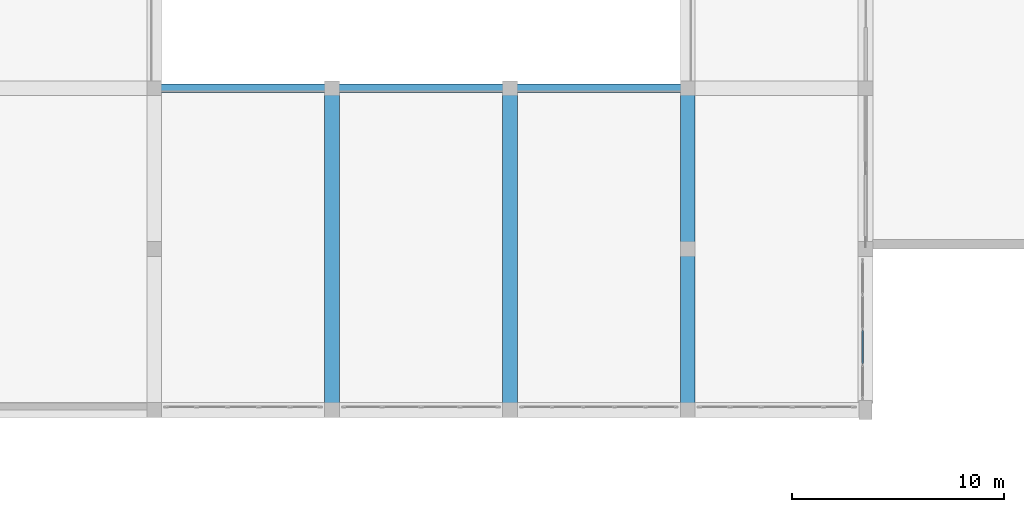
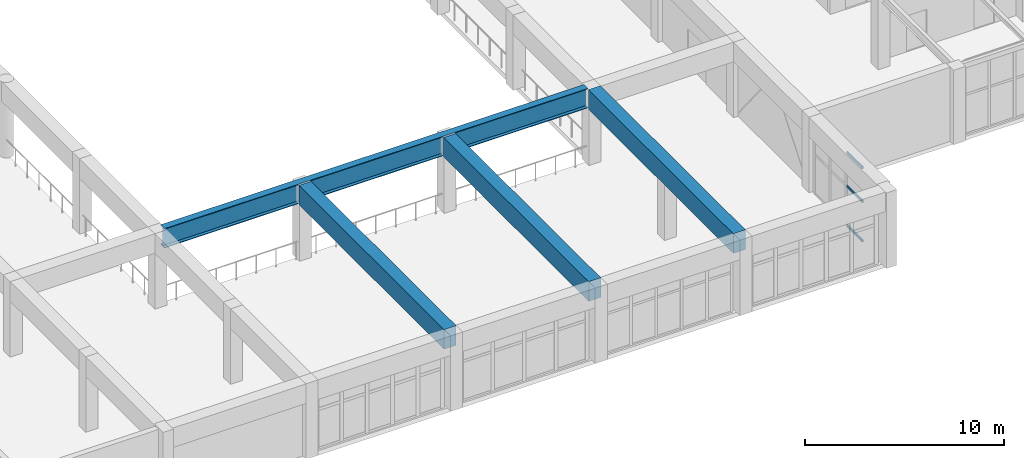
# One storey, part 21 of 72: 4 beams, 3 members, 1 element without a shape of its own.
"""IFC4 building model written with IfcOpenShell, lengths in metres."""

from ifc_helpers import new_model, si_unit, direction, frame, origin, origin_2d, place, context, subcontext, project, spatial, rectangle, hollow_rectangle, i_section, extrude, material, layer, layer_set, material_profile, profile_set, type_object, element, aggregate, save


model = new_model("IFC4")

# Units and contexts
model_context = context("Model", 3, precision=1e-05, world=origin(), true_north=direction((0.0, 1.0)))
body_context = subcontext(model_context, "Body", "Model", "MODEL_VIEW")
ifc_project = project(units=[si_unit("LENGTHUNIT", "METRE"), si_unit("AREAUNIT", "SQUARE_METRE"), si_unit("VOLUMEUNIT", "CUBIC_METRE"), si_unit("PLANEANGLEUNIT", "RADIAN"), si_unit("MASSUNIT", "GRAM", prefix="KILO")], contexts=[model_context])

# Site, building, storey
site_placement = place(None, origin())
site = spatial("IfcSite", under=ifc_project, at=site_placement, CompositionType="ELEMENT")
building_placement = place(site_placement, origin())
building = spatial("IfcBuilding", under=site, at=building_placement, Name="Xicomal Pleat Aquarium", CompositionType="ELEMENT")
storey_placement = place(building_placement, frame((0.0, 0.0, 10.5)))
storey = spatial("IfcBuildingStorey", under=building, at=storey_placement, Name="L03", CompositionType="ELEMENT", Elevation=10.5)

# Beams
ifc_material_1 = material(Name="Concrete C45/55", Category="concrete")
ifc_material_profile_1 = material_profile(ifc_material_1, rectangle(XDim=0.699951171875, YDim=1.199951171875, at=origin_2d()), Name="RC 700x1200")
ifc_profile_set_1 = profile_set([ifc_material_profile_1], Name="Concrete C45/55")
beam_type_1 = type_object("IfcBeamType", Name="BM-RC-700x1200", PredefinedType="SPANDREL", material=ifc_profile_set_1)
for number, where, z_axis, x_axis, name in (
    (1, (69.0, 30.699951171875, 4.034912109375), (0.0, 1.0, 0.0), (-1.0, 0.0, 0.0), "Ocean hall visible shell edge beam 09 E-G"),
    (2, (77.39990234375, 30.699951171875, 4.034912109375), (0.0, 1.0, 0.0), (-1.0, 0.0, 0.0), "Ocean hall visible shell edge beam 10 E-G"),
    (3, (85.800048828125, 30.699951171875, 4.034912109375), (0.0, 1.0, 0.0), (-1.0, 0.0, 0.0), "Ocean hall visible shell edge beam 11 E-G"),
):
    element("IfcBeam", number, at=place(storey_placement, frame(where, z_axis=z_axis, x_axis=x_axis)), inside=storey, type_object=beam_type_1, Name=name, PredefinedType="SPANDREL", context=body_context, shape_type="SweptSolid", body=[
        extrude(rectangle(XDim=0.699951171875, YDim=1.199951171875, at=origin_2d()), origin(), (0.0, 0.0, 1.0), 14.60009765625),
    ])
ifc_material_2 = material(Name="Structural steel A992 Gr 50", Category="steel")
ifc_material_profile_2 = material_profile(ifc_material_2, i_section(OverallWidth=0.39990234375, OverallDepth=1.199951171875, WebThickness=0.02001953125, FlangeThickness=0.035888671875, at=origin_2d()), Name="IR 1200x412")
ifc_profile_set_2 = profile_set([ifc_material_profile_2], Name="Structural steel A992 Gr 50")
beam_type_2 = type_object("IfcBeamType", Name="BM-STL-IR1200", PredefinedType="BEAM", material=ifc_profile_set_2)
beam_placement = place(storey_placement, frame((60.89990234375, 45.60009765625, 4.034912109375), z_axis=(1.0, 0.0, 0.0), x_axis=(0.0, 1.0, 0.0)))
element("IfcBeam", 4, at=beam_placement, inside=storey, type_object=beam_type_2, Name="Ocean hall shell edge girder 08-11/G", PredefinedType="BEAM", context=body_context, shape_type="SweptSolid", body=[
    extrude(i_section(OverallWidth=0.39990234375, OverallDepth=1.199951171875, WebThickness=0.02001953125, FlangeThickness=0.035888671875, at=origin_2d()), origin(), (0.0, 0.0, 1.0), 24.60009765625),
])

# Curtain wall, members
ifc_material_3 = material(Name="Bronze anodized aluminium 6063-T6", Category="aluminium")
ifc_layer = layer(ifc_material_3, 0.159912109375)
ifc_layer_set = layer_set([ifc_layer], Name="Bronze anodized aluminium 6063-T6")
curtain_wall_type = type_object("IfcCurtainWallType", Name="CW-SYS-08", PredefinedType="NOTDEFINED", material=ifc_layer_set)
curtain_wall_placement = place(storey_placement, origin())
curtain_wall = element("IfcCurtainWall", 5, at=curtain_wall_placement, inside=storey, type_object=curtain_wall_type, Name="L03 unitised curtain wall CW-L03-163", PredefinedType="NOTDEFINED")
ifc_material_4 = material(Name="Bronze anodized aluminium 6063-T6", Category="aluminium")
ifc_material_profile_3 = material_profile(ifc_material_4, hollow_rectangle(XDim=0.074951171875, YDim=0.14990234375, WallThickness=0.00439453125, at=origin_2d()), Name="ALU TRAN 75x150")
ifc_profile_set_3 = profile_set([ifc_material_profile_3], Name="Bronze anodized aluminium 6063-T6")
member_type = type_object("IfcMemberType", Name="CWT-75x150", PredefinedType="USERDEFINED", material=ifc_profile_set_3)
member_1_placement = place(storey_placement, frame((94.06005859375, 34.16259765625, 0.03759765625), z_axis=(0.0, -1.0, 0.0), x_axis=(1.0, 0.0, 0.0)))
member_1 = element("IfcMember", 6, at=member_1_placement, type_object=member_type, Name="CW-08 transom 3.1", ObjectType="TRANSOM", PredefinedType="USERDEFINED", context=body_context, shape_type="SweptSolid", body=[
    extrude(hollow_rectangle(XDim=0.074951171875, YDim=0.14990234375, WallThickness=0.00439453125, at=origin_2d()), origin(), (0.0, 0.0, 1.0), 1.565185546875),
])
member_2_placement = place(storey_placement, frame((94.06005859375, 34.16259765625, 2.4619140625), z_axis=(0.0, -1.0, 0.0), x_axis=(1.0, 0.0, 0.0)))
member_2 = element("IfcMember", 7, at=member_2_placement, type_object=member_type, Name="CW-08 transom 3.2", ObjectType="TRANSOM", PredefinedType="USERDEFINED", context=body_context, shape_type="SweptSolid", body=[
    extrude(hollow_rectangle(XDim=0.074951171875, YDim=0.14990234375, WallThickness=0.00439453125, at=origin_2d()), origin(), (0.0, 0.0, 1.0), 1.565185546875),
])
member_3_placement = place(storey_placement, frame((94.06005859375, 34.16259765625, 4.5224609375), z_axis=(0.0, -1.0, 0.0), x_axis=(1.0, 0.0, 0.0)))
member_3 = element("IfcMember", 8, at=member_3_placement, type_object=member_type, Name="CW-08 transom 3.3", ObjectType="TRANSOM", PredefinedType="USERDEFINED", context=body_context, shape_type="SweptSolid", body=[
    extrude(hollow_rectangle(XDim=0.074951171875, YDim=0.14990234375, WallThickness=0.00439453125, at=origin_2d()), origin(), (0.0, 0.0, 1.0), 1.565185546875),
])
aggregate(curtain_wall, [member_1, member_2, member_3])

save(model, "model.ifc")
